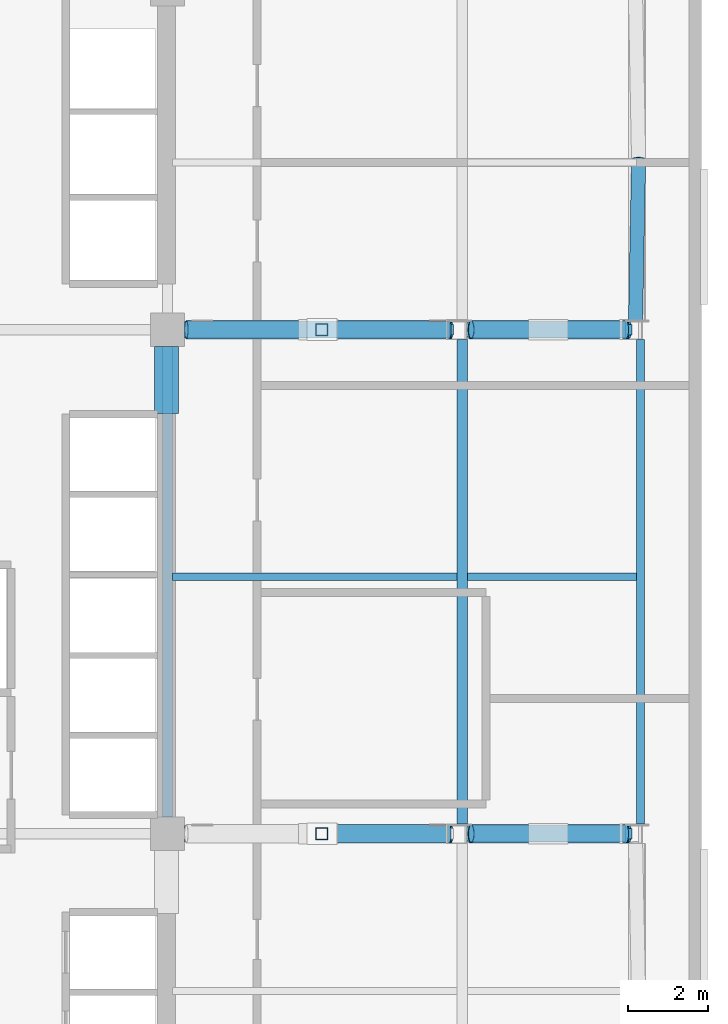
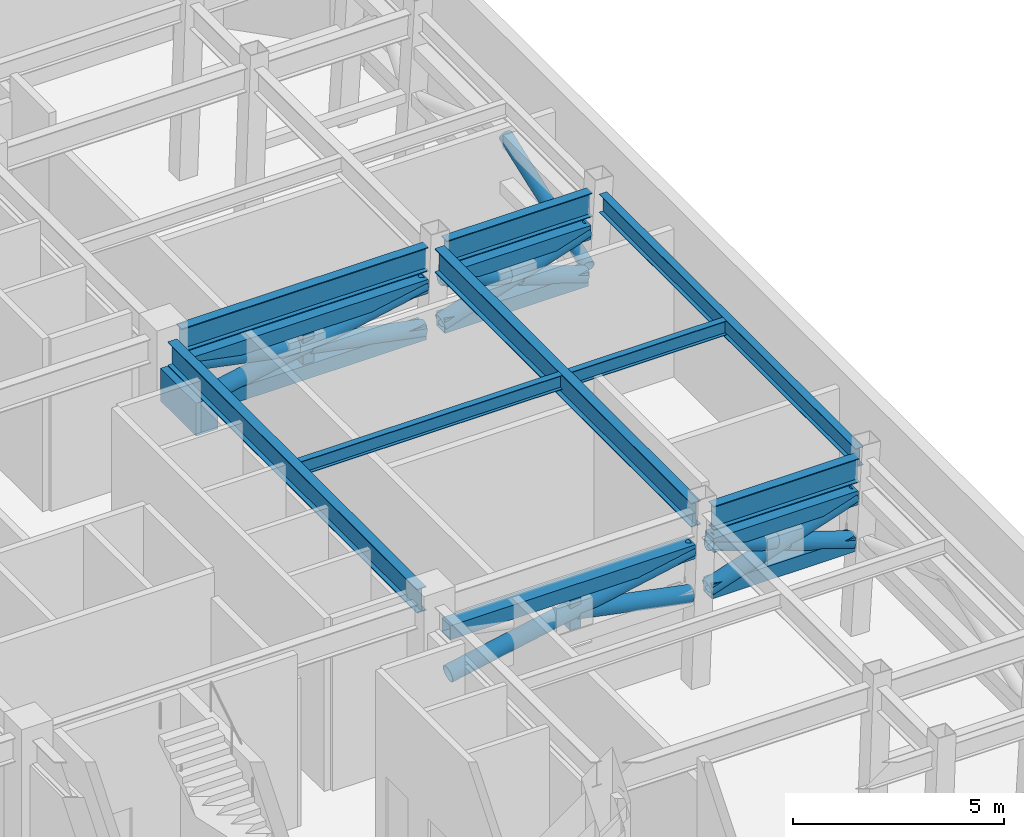
# One storey, part 5 of 14: 21 members, 9 beams.
"""IFC4 building model written with IfcOpenShell, lengths in metres."""

from ifc_helpers import new_model, si_unit, direction, frame, origin, origin_2d, place, context, subcontext, project, spatial, rectangle, hollow_rectangle, hollow_circle, i_section, extrude, material, material_profile, profile_set, type_object, element, save


model = new_model("IFC4")

# Units and contexts
model_context = context("Model", 3, precision=1e-05, world=origin(), true_north=direction((0.0, 1.0)))
body_context = subcontext(model_context, "Body", "Model", "MODEL_VIEW")
ifc_project = project(units=[si_unit("LENGTHUNIT", "METRE"), si_unit("AREAUNIT", "SQUARE_METRE"), si_unit("VOLUMEUNIT", "CUBIC_METRE"), si_unit("PLANEANGLEUNIT", "RADIAN"), si_unit("MASSUNIT", "GRAM", prefix="KILO")], contexts=[model_context])

# Site, building, storey
site_placement = place(None, origin())
site = spatial("IfcSite", under=ifc_project, at=site_placement, CompositionType="ELEMENT")
building_placement = place(site_placement, origin())
building = spatial("IfcBuilding", under=site, at=building_placement, Name="Ochreholt Gables", CompositionType="ELEMENT")
storey_placement = place(building_placement, frame((0.0, 0.0, 71.39990234375)))
storey = spatial("IfcBuildingStorey", under=building, at=storey_placement, Name="L18", CompositionType="ELEMENT", Elevation=71.39990234375)

# Beams
ifc_material_1 = material(Name="Concrete 60 MPa", Category="concrete")
ifc_material_profile_1 = material_profile(ifc_material_1, rectangle(XDim=0.60009765625, YDim=0.949951171875, at=origin_2d()), Name="RCB600X950")
ifc_profile_set_1 = profile_set([ifc_material_profile_1], Name="Concrete 60 MPa")
beam_type_1 = type_object("IfcBeamType", Name="BM-CPL-RC600", PredefinedType="LINTEL", material=ifc_profile_set_1)
beam_1_placement = place(storey_placement, frame((35.175048828125, 28.10009765625, 3.822021484375), z_axis=(0.0, 1.0, 0.0), x_axis=(-1.0, 0.0, 0.0)))
element("IfcBeam", 1, at=beam_1_placement, inside=storey, type_object=beam_type_1, Name="L18 Core Coupling Lintel CPN", PredefinedType="LINTEL", context=body_context, shape_type="SweptSolid", body=[
    extrude(rectangle(XDim=0.60009765625, YDim=0.949951171875, at=origin_2d()), origin(), (0.0, 0.0, 1.0), 1.6748046875),
])
ifc_material_2 = material(Name="Steel CSA G40.21 350W", Category="steel")
ifc_material_profile_2 = material_profile(ifc_material_2, i_section(OverallWidth=0.256103515625, OverallDepth=0.693115234375, WebThickness=0.014404296875, FlangeThickness=0.023681640625, at=origin_2d()), Name="W690X170")
ifc_profile_set_2 = profile_set([ifc_material_profile_2], Name="Steel CSA G40.21 350W")
beam_type_2 = type_object("IfcBeamType", Name="BM-G-W690", PredefinedType="BEAM", material=ifc_profile_set_2)
beam_2_placement = place(storey_placement, frame((42.87353515625, 17.550048828125, 4.6435546875), z_axis=(1.0, 0.0, 0.0), x_axis=(0.0, 1.0, 0.0)))
element("IfcBeam", 2, at=beam_2_placement, inside=storey, type_object=beam_type_2, Name="L18 Beam TBG-L18-EMEE-Y3", PredefinedType="BEAM", context=body_context, shape_type="SweptSolid", body=[
    extrude(i_section(OverallWidth=0.256103515625, OverallDepth=0.693115234375, WebThickness=0.014404296875, FlangeThickness=0.023681640625, at=origin_2d()), origin(), (0.0, 0.0, 1.0), 3.988037109375),
])
beam_3_placement = place(storey_placement, frame((35.62451171875, 30.199951171875, 4.6435546875), z_axis=(1.0, 0.0, 0.0), x_axis=(0.0, 1.0, 0.0)))
element("IfcBeam", 3, at=beam_3_placement, inside=storey, type_object=beam_type_2, Name="L18 Beam TBG-L18-C2EM-Y4", PredefinedType="BEAM", context=body_context, shape_type="SweptSolid", body=[
    extrude(i_section(OverallWidth=0.256103515625, OverallDepth=0.693115234375, WebThickness=0.014404296875, FlangeThickness=0.023681640625, at=origin_2d()), origin(), (0.0, 0.0, 1.0), 6.75),
])
beam_4_placement = place(storey_placement, frame((42.87353515625, 30.199951171875, 4.6435546875), z_axis=(1.0, 0.0, 0.0), x_axis=(0.0, 1.0, 0.0)))
element("IfcBeam", 4, at=beam_4_placement, inside=storey, type_object=beam_type_2, Name="L18 Beam TBG-L18-EMEE-Y4", PredefinedType="BEAM", context=body_context, shape_type="SweptSolid", body=[
    extrude(i_section(OverallWidth=0.256103515625, OverallDepth=0.693115234375, WebThickness=0.014404296875, FlangeThickness=0.023681640625, at=origin_2d()), origin(), (0.0, 0.0, 1.0), 3.988037109375),
])
beam_5_placement = place(storey_placement, frame((35.199951171875, 17.974609375, 4.6435546875), z_axis=(0.0, 1.0, 0.0), x_axis=(-1.0, 0.0, 0.0)))
element("IfcBeam", 5, at=beam_5_placement, inside=storey, type_object=beam_type_2, Name="L18 Beam TBN-L18-C2-Y3Y4", PredefinedType="BEAM", context=body_context, shape_type="SweptSolid", body=[
    extrude(i_section(OverallWidth=0.256103515625, OverallDepth=0.693115234375, WebThickness=0.014404296875, FlangeThickness=0.023681640625, at=origin_2d()), origin(), (0.0, 0.0, 1.0), 11.80078125),
])
beam_6_placement = place(storey_placement, frame((42.600830078125, 17.799560546875, 4.6435546875), z_axis=(0.0, 1.0, 0.0), x_axis=(-1.0, 0.0, 0.0)))
element("IfcBeam", 6, at=beam_6_placement, inside=storey, type_object=beam_type_2, Name="L18 Beam TBN-L18-EM-Y3Y4", PredefinedType="BEAM", context=body_context, shape_type="SweptSolid", body=[
    extrude(i_section(OverallWidth=0.256103515625, OverallDepth=0.693115234375, WebThickness=0.014404296875, FlangeThickness=0.023681640625, at=origin_2d()), origin(), (0.0, 0.0, 1.0), 12.15087890625),
])
ifc_material_profile_3 = material_profile(ifc_material_2, i_section(OverallWidth=0.178955078125, OverallDepth=0.409912109375, WebThickness=0.0087890625, FlangeThickness=0.014404296875, at=origin_2d()), Name="W410X67")
ifc_profile_set_3 = profile_set([ifc_material_profile_3], Name="Steel CSA G40.21 350W")
beam_type_3 = type_object("IfcBeamType", Name="BM-J-W410", PredefinedType="JOIST", material=ifc_profile_set_3)
beam_7_placement = place(storey_placement, frame((35.32763671875, 24.0, 4.78515625), z_axis=(1.0, 0.0, 0.0), x_axis=(0.0, 1.0, 0.0)))
element("IfcBeam", 7, at=beam_7_placement, inside=storey, type_object=beam_type_3, Name="L18 Beam TBJ-L18-J2-C2EM", PredefinedType="JOIST", context=body_context, shape_type="SweptSolid", body=[
    extrude(i_section(OverallWidth=0.178955078125, OverallDepth=0.409912109375, WebThickness=0.0087890625, FlangeThickness=0.014404296875, at=origin_2d()), origin(), (0.0, 0.0, 1.0), 7.145751953125),
])
beam_8_placement = place(storey_placement, frame((42.728515625, 24.0, 4.78515625), z_axis=(1.0, 0.0, 0.0), x_axis=(0.0, 1.0, 0.0)))
element("IfcBeam", 8, at=beam_8_placement, inside=storey, type_object=beam_type_3, Name="L18 Beam TBJ-L18-J2-EMEE", PredefinedType="JOIST", context=body_context, shape_type="SweptSolid", body=[
    extrude(i_section(OverallWidth=0.178955078125, OverallDepth=0.409912109375, WebThickness=0.0087890625, FlangeThickness=0.014404296875, at=origin_2d()), origin(), (0.0, 0.0, 1.0), 4.240234375),
])
ifc_material_profile_4 = material_profile(ifc_material_2, i_section(OverallWidth=0.208984375, OverallDepth=0.532958984375, WebThickness=0.01025390625, FlangeThickness=0.015625, at=origin_2d()), Name="W530X92")
ifc_profile_set_4 = profile_set([ifc_material_profile_4], Name="Steel CSA G40.21 350W")
beam_type_4 = type_object("IfcBeamType", Name="BM-SP-W530B", PredefinedType="SPANDREL", material=ifc_profile_set_4)
beam_9_placement = place(storey_placement, frame((47.072998046875, 17.799560546875, 4.7236328125), z_axis=(0.0, 1.0, 0.0), x_axis=(-1.0, 0.0, 0.0)))
element("IfcBeam", 9, at=beam_9_placement, inside=storey, type_object=beam_type_4, Name="L18 Beam TBN-L18-EE-Y3Y4", PredefinedType="SPANDREL", context=body_context, shape_type="SweptSolid", body=[
    extrude(i_section(OverallWidth=0.208984375, OverallDepth=0.532958984375, WebThickness=0.01025390625, FlangeThickness=0.015625, at=origin_2d()), origin(), (0.0, 0.0, 1.0), 12.15087890625),
])

# Members
ifc_material_profile_5 = material_profile(ifc_material_2, hollow_circle(Radius=0.177978515625, WallThickness=0.0126953125, at=origin_2d()), Name="CHS356X13")
ifc_profile_set_5 = profile_set([ifc_material_profile_5], Name="Steel CSA G40.21 350W")
member_type_1 = type_object("IfcMemberType", Name="MEM-BL-BR2", PredefinedType="BRACE", material=ifc_profile_set_5)
member_1_placement = place(storey_placement, frame((46.94873046875, 30.44970703125, 2.60009765625), z_axis=(0.018092998005, 0.950055258312, 0.311556815969), x_axis=(-0.999818709423, 0.019040700798, 0.0)))
element("IfcMember", 10, at=member_1_placement, inside=storey, type_object=member_type_1, Name="L18 Belt Truss Diagonal 3A", PredefinedType="BRACE", context=body_context, shape_type="SweptSolid", body=[
    extrude(hollow_circle(Radius=0.177978515625, WallThickness=0.0126953125, at=origin_2d()), origin(), (0.0, 0.0, 1.0), 4.237060546875),
])
ifc_material_profile_6 = material_profile(ifc_material_2, hollow_rectangle(XDim=0.304931640625, YDim=0.304931640625, WallThickness=0.0126953125, at=origin_2d()), Name="HSS305X305X13")
ifc_profile_set_6 = profile_set([ifc_material_profile_6], Name="Steel CSA G40.21 350W")
member_type_2 = type_object("IfcMemberType", Name="MEM-BL-PT1", PredefinedType="POST", material=ifc_profile_set_6)
for number, where, z_axis, x_axis, name in (
    (11, (39.0751953125, 17.550048828125, 2.802734375), (0.0, 0.0, 1.0), (1.0, 0.0, 0.0), "L18 Outrigger Mid-Bay Post S"),
    (12, (39.0751953125, 30.199951171875, 2.802734375), (0.0, 0.0, 1.0), (1.0, 0.0, 0.0), "L18 Outrigger Mid-Bay Post N"),
):
    element("IfcMember", number, at=place(storey_placement, frame(where, z_axis=z_axis, x_axis=x_axis)), inside=storey, type_object=member_type_2, Name=name, PredefinedType="POST", context=body_context, shape_type="SweptSolid", body=[
        extrude(hollow_rectangle(XDim=0.304931640625, YDim=0.304931640625, WallThickness=0.0126953125, at=origin_2d()), origin(), (0.0, 0.0, 1.0), 0.914794921875),
    ])
ifc_material_profile_7 = material_profile(ifc_material_2, hollow_circle(Radius=0.228515625, WallThickness=0.01611328125, at=origin_2d()), Name="CHS457X16")
ifc_profile_set_7 = profile_set([ifc_material_profile_7], Name="Steel CSA G40.21 350W")
member_type_3 = type_object("IfcMemberType", Name="MEM-OU-BR1", PredefinedType="BRACE", material=ifc_profile_set_7)
member_2_placement = place(storey_placement, frame((35.674560546875, 17.550048828125, 2.60009765625), z_axis=(0.980849902282, 0.0, 0.194765164217), x_axis=(0.0, 1.0, 0.0)))
element("IfcMember", 13, at=member_2_placement, inside=storey, type_object=member_type_3, Name="L18 Outrigger Truss S Continuous Diagonal 1", PredefinedType="BRACE", context=body_context, shape_type="SweptSolid", body=[
    extrude(hollow_circle(Radius=0.228515625, WallThickness=0.01611328125, at=origin_2d()), origin(), (0.0, 0.0, 1.0), 6.77783203125),
])
member_3_placement = place(storey_placement, frame((42.2763671875, 17.550048828125, 2.60009765625), z_axis=(-0.980595463181, 0.0, 0.196042183188), x_axis=(0.0, -1.0, 0.0)))
element("IfcMember", 14, at=member_3_placement, inside=storey, type_object=member_type_3, Name="L18 Outrigger Truss S Split Diagonal 2A", PredefinedType="BRACE", context=body_context, shape_type="SweptSolid", body=[
    extrude(hollow_circle(Radius=0.228515625, WallThickness=0.01611328125, at=origin_2d()), origin(), (0.0, 0.0, 1.0), 3.17431640625),
])
member_4_placement = place(storey_placement, frame((42.775634765625, 17.550048828125, 2.60009765625), z_axis=(0.94962951148, 0.0, 0.313374840926), x_axis=(0.0, 1.0, 0.0)))
element("IfcMember", 15, at=member_4_placement, inside=storey, type_object=member_type_3, Name="L18 Outrigger Truss S Continuous Diagonal 3", PredefinedType="BRACE", context=body_context, shape_type="SweptSolid", body=[
    extrude(hollow_circle(Radius=0.228515625, WallThickness=0.01611328125, at=origin_2d()), origin(), (0.0, 0.0, 1.0), 4.21240234375),
])
member_5_placement = place(storey_placement, frame((46.69921875, 17.550048828125, 2.60009765625), z_axis=(-0.947897001091, 0.0, 0.318576953535), x_axis=(0.0, -1.0, 0.0)))
element("IfcMember", 16, at=member_5_placement, inside=storey, type_object=member_type_3, Name="L18 Outrigger Truss S Split Diagonal 4A", PredefinedType="BRACE", context=body_context, shape_type="SweptSolid", body=[
    extrude(hollow_circle(Radius=0.228515625, WallThickness=0.01611328125, at=origin_2d()), origin(), (0.0, 0.0, 1.0), 1.869873046875),
])
member_6_placement = place(storey_placement, frame((44.5859375, 17.550048828125, 3.311767578125), z_axis=(-0.945361858625, 0.0, 0.326022938236), x_axis=(0.0, -1.0, 0.0)))
element("IfcMember", 17, at=member_6_placement, inside=storey, type_object=member_type_3, Name="L18 Outrigger Truss S Split Diagonal 4B", PredefinedType="BRACE", context=body_context, shape_type="SweptSolid", body=[
    extrude(hollow_circle(Radius=0.228515625, WallThickness=0.01611328125, at=origin_2d()), origin(), (0.0, 0.0, 1.0), 1.8662109375),
])
member_7_placement = place(storey_placement, frame((35.674560546875, 30.199951171875, 2.60009765625), z_axis=(0.980849902282, 0.0, 0.194765164217), x_axis=(0.0, 1.0, 0.0)))
element("IfcMember", 18, at=member_7_placement, inside=storey, type_object=member_type_3, Name="L18 Outrigger Truss N Continuous Diagonal 1", PredefinedType="BRACE", context=body_context, shape_type="SweptSolid", body=[
    extrude(hollow_circle(Radius=0.228515625, WallThickness=0.01611328125, at=origin_2d()), origin(), (0.0, 0.0, 1.0), 6.77783203125),
])
member_8_placement = place(storey_placement, frame((42.2763671875, 30.199951171875, 2.60009765625), z_axis=(-0.980595463181, 0.0, 0.196042183188), x_axis=(0.0, -1.0, 0.0)))
element("IfcMember", 19, at=member_8_placement, inside=storey, type_object=member_type_3, Name="L18 Outrigger Truss N Split Diagonal 2A", PredefinedType="BRACE", context=body_context, shape_type="SweptSolid", body=[
    extrude(hollow_circle(Radius=0.228515625, WallThickness=0.01611328125, at=origin_2d()), origin(), (0.0, 0.0, 1.0), 3.17431640625),
])
member_9_placement = place(storey_placement, frame((38.810546875, 30.199951171875, 3.293212890625), z_axis=(-0.980595353833, 0.0, 0.19604273014), x_axis=(0.0, -1.0, 0.0)))
element("IfcMember", 20, at=member_9_placement, inside=storey, type_object=member_type_3, Name="L18 Outrigger Truss N Split Diagonal 2B", PredefinedType="BRACE", context=body_context, shape_type="SweptSolid", body=[
    extrude(hollow_circle(Radius=0.228515625, WallThickness=0.01611328125, at=origin_2d()), origin(), (0.0, 0.0, 1.0), 3.197998046875),
])
member_10_placement = place(storey_placement, frame((42.775634765625, 30.199951171875, 2.60009765625), z_axis=(0.94962951148, 0.0, 0.313374840926), x_axis=(0.0, 1.0, 0.0)))
element("IfcMember", 21, at=member_10_placement, inside=storey, type_object=member_type_3, Name="L18 Outrigger Truss N Continuous Diagonal 3", PredefinedType="BRACE", context=body_context, shape_type="SweptSolid", body=[
    extrude(hollow_circle(Radius=0.228515625, WallThickness=0.01611328125, at=origin_2d()), origin(), (0.0, 0.0, 1.0), 4.21240234375),
])
member_11_placement = place(storey_placement, frame((46.69921875, 30.199951171875, 2.60009765625), z_axis=(-0.947897001091, 0.0, 0.318576953535), x_axis=(0.0, -1.0, 0.0)))
element("IfcMember", 22, at=member_11_placement, inside=storey, type_object=member_type_3, Name="L18 Outrigger Truss N Split Diagonal 4A", PredefinedType="BRACE", context=body_context, shape_type="SweptSolid", body=[
    extrude(hollow_circle(Radius=0.228515625, WallThickness=0.01611328125, at=origin_2d()), origin(), (0.0, 0.0, 1.0), 1.869873046875),
])
member_12_placement = place(storey_placement, frame((44.5859375, 30.199951171875, 3.311767578125), z_axis=(-0.945361858625, 0.0, 0.326022938236), x_axis=(0.0, -1.0, 0.0)))
element("IfcMember", 23, at=member_12_placement, inside=storey, type_object=member_type_3, Name="L18 Outrigger Truss N Split Diagonal 4B", PredefinedType="BRACE", context=body_context, shape_type="SweptSolid", body=[
    extrude(hollow_circle(Radius=0.228515625, WallThickness=0.01611328125, at=origin_2d()), origin(), (0.0, 0.0, 1.0), 1.8662109375),
])
ifc_material_profile_8 = material_profile(ifc_material_2, hollow_rectangle(XDim=0.406005859375, YDim=0.406005859375, WallThickness=0.01611328125, at=origin_2d()), Name="HSS406X406X16")
ifc_profile_set_8 = profile_set([ifc_material_profile_8], Name="Steel CSA G40.21 350W")
member_type_4 = type_object("IfcMemberType", Name="MEM-OU-CH1", PredefinedType="CHORD", material=ifc_profile_set_8)
member_13_placement = place(storey_placement, frame((35.62451171875, 17.550048828125, 3.920166015625), z_axis=(1.0, 0.0, 0.0), x_axis=(0.0, 1.0, 0.0)))
element("IfcMember", 24, at=member_13_placement, inside=storey, type_object=member_type_4, Name="L18 Outrigger Truss S Top Chord 1", PredefinedType="CHORD", context=body_context, shape_type="SweptSolid", body=[
    extrude(hollow_rectangle(XDim=0.406005859375, YDim=0.406005859375, WallThickness=0.01611328125, at=origin_2d()), origin(), (0.0, 0.0, 1.0), 6.697998046875),
])
member_14_placement = place(storey_placement, frame((42.775634765625, 17.550048828125, 2.60009765625), z_axis=(1.0, 0.0, 0.0), x_axis=(0.0, 1.0, 0.0)))
element("IfcMember", 25, at=member_14_placement, inside=storey, type_object=member_type_4, Name="L18 Outrigger Truss S Bottom Chord 2", PredefinedType="CHORD", context=body_context, shape_type="SweptSolid", body=[
    extrude(hollow_rectangle(XDim=0.406005859375, YDim=0.406005859375, WallThickness=0.01611328125, at=origin_2d()), origin(), (0.0, 0.0, 1.0), 3.923583984375),
])
member_15_placement = place(storey_placement, frame((42.82177734375, 17.550048828125, 3.920166015625), z_axis=(1.0, 0.0, 0.0), x_axis=(0.0, 1.0, 0.0)))
element("IfcMember", 26, at=member_15_placement, inside=storey, type_object=member_type_4, Name="L18 Outrigger Truss S Top Chord 2", PredefinedType="CHORD", context=body_context, shape_type="SweptSolid", body=[
    extrude(hollow_rectangle(XDim=0.406005859375, YDim=0.406005859375, WallThickness=0.01611328125, at=origin_2d()), origin(), (0.0, 0.0, 1.0), 3.9541015625),
])
member_16_placement = place(storey_placement, frame((35.62451171875, 30.199951171875, 2.60009765625), z_axis=(1.0, 0.0, 0.0), x_axis=(0.0, 1.0, 0.0)))
element("IfcMember", 27, at=member_16_placement, inside=storey, type_object=member_type_4, Name="L18 Outrigger Truss N Bottom Chord 1", PredefinedType="CHORD", context=body_context, shape_type="SweptSolid", body=[
    extrude(hollow_rectangle(XDim=0.406005859375, YDim=0.406005859375, WallThickness=0.01611328125, at=origin_2d()), origin(), (0.0, 0.0, 1.0), 6.65185546875),
])
member_17_placement = place(storey_placement, frame((35.62451171875, 30.199951171875, 3.920166015625), z_axis=(1.0, 0.0, 0.0), x_axis=(0.0, 1.0, 0.0)))
element("IfcMember", 28, at=member_17_placement, inside=storey, type_object=member_type_4, Name="L18 Outrigger Truss N Top Chord 1", PredefinedType="CHORD", context=body_context, shape_type="SweptSolid", body=[
    extrude(hollow_rectangle(XDim=0.406005859375, YDim=0.406005859375, WallThickness=0.01611328125, at=origin_2d()), origin(), (0.0, 0.0, 1.0), 6.697998046875),
])
member_18_placement = place(storey_placement, frame((42.775634765625, 30.199951171875, 2.60009765625), z_axis=(1.0, 0.0, 0.0), x_axis=(0.0, 1.0, 0.0)))
element("IfcMember", 29, at=member_18_placement, inside=storey, type_object=member_type_4, Name="L18 Outrigger Truss N Bottom Chord 2", PredefinedType="CHORD", context=body_context, shape_type="SweptSolid", body=[
    extrude(hollow_rectangle(XDim=0.406005859375, YDim=0.406005859375, WallThickness=0.01611328125, at=origin_2d()), origin(), (0.0, 0.0, 1.0), 3.923583984375),
])
member_19_placement = place(storey_placement, frame((42.82177734375, 30.199951171875, 3.920166015625), z_axis=(1.0, 0.0, 0.0), x_axis=(0.0, 1.0, 0.0)))
element("IfcMember", 30, at=member_19_placement, inside=storey, type_object=member_type_4, Name="L18 Outrigger Truss N Top Chord 2", PredefinedType="CHORD", context=body_context, shape_type="SweptSolid", body=[
    extrude(hollow_rectangle(XDim=0.406005859375, YDim=0.406005859375, WallThickness=0.01611328125, at=origin_2d()), origin(), (0.0, 0.0, 1.0), 3.9541015625),
])

save(model, "model.ifc")
